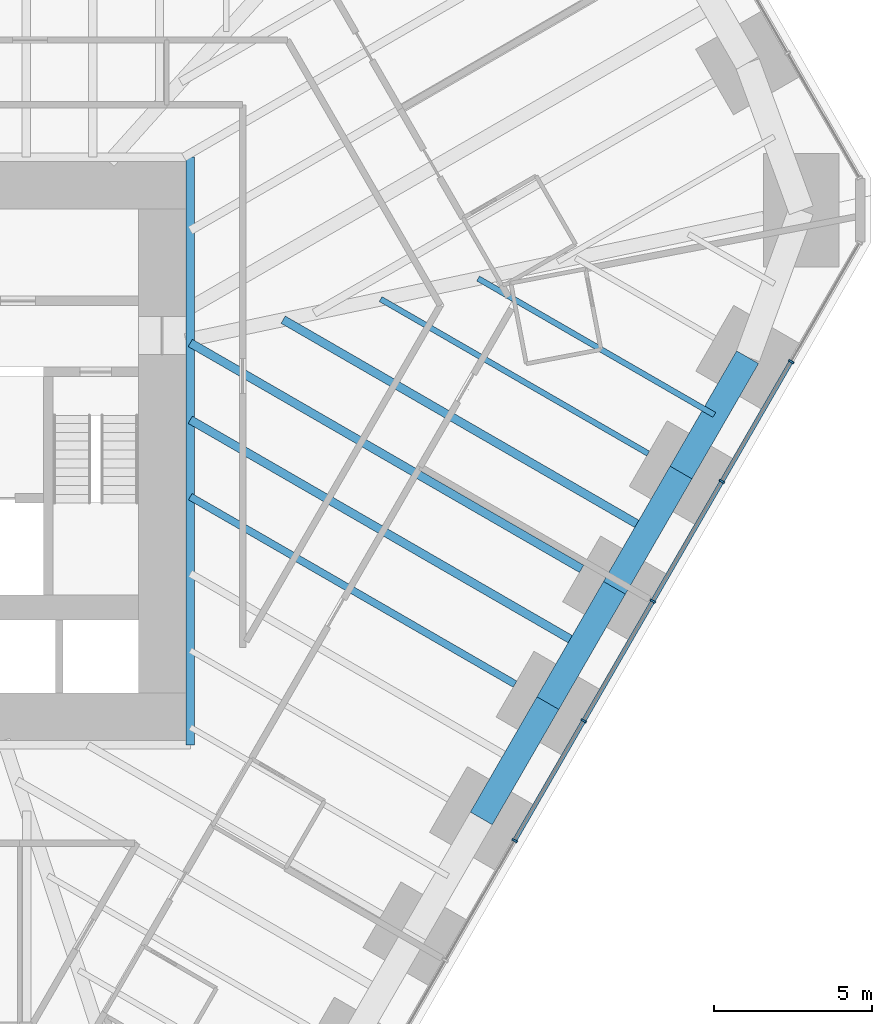
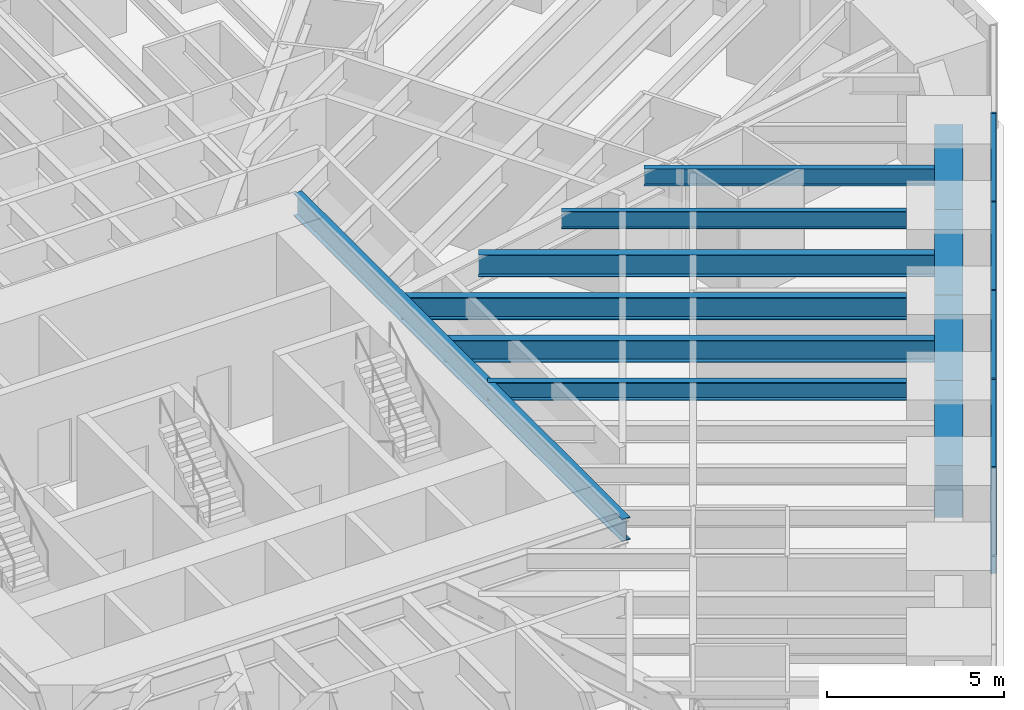
# One storey, part 6 of 17: 11 beams, 9 members, 1 element without a shape of its own.
"""IFC4 building model written with IfcOpenShell, lengths in metres."""

from ifc_helpers import new_model, si_unit, direction, frame, origin, origin_2d, place, context, subcontext, project, spatial, rectangle, i_section, extrude, material, material_profile, profile_set, type_object, element, aggregate, save


model = new_model("IFC4")

# Units and contexts
model_context = context("Model", 3, precision=1e-05, world=origin(), true_north=direction((0.0, 1.0)))
body_context = subcontext(model_context, "Body", "Model", "MODEL_VIEW")
ifc_project = project(units=[si_unit("LENGTHUNIT", "METRE"), si_unit("AREAUNIT", "SQUARE_METRE"), si_unit("VOLUMEUNIT", "CUBIC_METRE"), si_unit("PLANEANGLEUNIT", "RADIAN"), si_unit("MASSUNIT", "GRAM", prefix="KILO")], contexts=[model_context])

# Site, building, storey
site_placement = place(None, origin())
site = spatial("IfcSite", under=ifc_project, at=site_placement, CompositionType="ELEMENT")
building_placement = place(site_placement, origin())
building = spatial("IfcBuilding", under=site, at=building_placement, Name="Sandreach Pilgrim Tower", CompositionType="ELEMENT")
storey_placement = place(building_placement, frame((0.0, 0.0, 49.60009765625)))
storey = spatial("IfcBuildingStorey", under=building, at=storey_placement, Name="L11", CompositionType="ELEMENT", Elevation=49.60009765625)

# Curtain wall, members
ifc_material_1 = material(Name="Aluminium framed curtain wall", Category="aluminium")
curtain_wall_type = type_object("IfcCurtainWallType", Name="Hostel tower curtain wall", PredefinedType="NOTDEFINED", material=ifc_material_1)
curtain_wall_placement = place(storey_placement, origin())
curtain_wall = element("IfcCurtainWall", 1, at=curtain_wall_placement, inside=storey, type_object=curtain_wall_type, Name="CW-1 L11 SE", PredefinedType="NOTDEFINED")
ifc_material_2 = material(Name="Aluminium extrusion", Category="aluminium")
ifc_material_profile_1 = material_profile(ifc_material_2, rectangle(XDim=0.06494140625, YDim=0.179931640625, at=origin_2d()), Name="CW-1M 65X180")
ifc_profile_set_1 = profile_set([ifc_material_profile_1], Name="Aluminium extrusion")
member_type_1 = type_object("IfcMemberType", Name="CW-1 mullion", PredefinedType="MULLION", material=ifc_profile_set_1)
member_1_placement = place(storey_placement, frame((28.390380859375, 1.2763671875, 0.0), z_axis=(0.0, 0.0, 1.0), x_axis=(-0.5, -0.866025403784, 0.0)))
member_1 = element("IfcMember", 2, at=member_1_placement, type_object=member_type_1, Name="CW-1 mullion 2", PredefinedType="MULLION", context=body_context, shape_type="SweptSolid", body=[
    extrude(rectangle(XDim=0.06494140625, YDim=0.179931640625, at=origin_2d()), origin(), (0.0, 0.0, 1.0), 3.639892578125),
])
member_2_placement = place(storey_placement, frame((26.20458984375, -2.509521484375, 0.0), z_axis=(0.0, 0.0, 1.0), x_axis=(-0.5, -0.866025403784, 0.0)))
member_2 = element("IfcMember", 3, at=member_2_placement, type_object=member_type_1, Name="CW-1 mullion 3", PredefinedType="MULLION", context=body_context, shape_type="SweptSolid", body=[
    extrude(rectangle(XDim=0.06494140625, YDim=0.179931640625, at=origin_2d()), origin(), (0.0, 0.0, 1.0), 3.639892578125),
])
member_3_placement = place(storey_placement, frame((24.018798828125, -6.29541015625, 0.0), z_axis=(0.0, 0.0, 1.0), x_axis=(-0.5, -0.866025403784, 0.0)))
member_3 = element("IfcMember", 4, at=member_3_placement, type_object=member_type_1, Name="CW-1 mullion 4", PredefinedType="MULLION", context=body_context, shape_type="SweptSolid", body=[
    extrude(rectangle(XDim=0.06494140625, YDim=0.179931640625, at=origin_2d()), origin(), (0.0, 0.0, 1.0), 3.639892578125),
])
member_4_placement = place(storey_placement, frame((21.8330078125, -10.081298828125, 0.0), z_axis=(0.0, 0.0, 1.0), x_axis=(-0.5, -0.866025403784, 0.0)))
member_4 = element("IfcMember", 5, at=member_4_placement, type_object=member_type_1, Name="CW-1 mullion 5", PredefinedType="MULLION", context=body_context, shape_type="SweptSolid", body=[
    extrude(rectangle(XDim=0.06494140625, YDim=0.179931640625, at=origin_2d()), origin(), (0.0, 0.0, 1.0), 3.639892578125),
])
member_5_placement = place(storey_placement, frame((19.647216796875, -13.8671875, 0.0), z_axis=(0.0, 0.0, 1.0), x_axis=(-0.5, -0.866025403784, 0.0)))
member_5 = element("IfcMember", 6, at=member_5_placement, type_object=member_type_1, Name="CW-1 mullion 6", PredefinedType="MULLION", context=body_context, shape_type="SweptSolid", body=[
    extrude(rectangle(XDim=0.06494140625, YDim=0.179931640625, at=origin_2d()), origin(), (0.0, 0.0, 1.0), 3.639892578125),
])
ifc_material_3 = material(Name="Aluminium extrusion", Category="aluminium")
ifc_material_profile_2 = material_profile(ifc_material_3, rectangle(XDim=0.139892578125, YDim=0.070068359375, at=origin_2d()), Name="CW-1T 140X70")
ifc_profile_set_2 = profile_set([ifc_material_profile_2], Name="Aluminium extrusion")
member_type_2 = type_object("IfcMemberType", Name="CW-1 transom", PredefinedType="USERDEFINED", material=ifc_profile_set_2)
member_6_placement = place(storey_placement, frame((28.374267578125, 1.248046875, 3.60498046875), z_axis=(-0.500016891966, -0.866015650984, 0.0), x_axis=(0.866015650984, -0.500016891966, 0.0)))
member_6 = element("IfcMember", 7, at=member_6_placement, type_object=member_type_2, Name="CW-1 head transom 2", ObjectType="TRANSOM", PredefinedType="USERDEFINED", context=body_context, shape_type="SweptSolid", body=[
    extrude(rectangle(XDim=0.139892578125, YDim=0.070068359375, at=origin_2d()), origin(), (0.0, 0.0, 1.0), 4.306396484375),
])
member_7_placement = place(storey_placement, frame((26.1884765625, -2.537841796875, 3.60498046875), z_axis=(-0.500016891966, -0.866015650984, 0.0), x_axis=(0.866015650984, -0.500016891966, 0.0)))
member_7 = element("IfcMember", 8, at=member_7_placement, type_object=member_type_2, Name="CW-1 head transom 3", ObjectType="TRANSOM", PredefinedType="USERDEFINED", context=body_context, shape_type="SweptSolid", body=[
    extrude(rectangle(XDim=0.139892578125, YDim=0.070068359375, at=origin_2d()), origin(), (0.0, 0.0, 1.0), 4.306396484375),
])
member_8_placement = place(storey_placement, frame((24.002685546875, -6.32373046875, 3.60498046875), z_axis=(-0.500016891966, -0.866015650984, 0.0), x_axis=(0.866015650984, -0.500016891966, 0.0)))
member_8 = element("IfcMember", 9, at=member_8_placement, type_object=member_type_2, Name="CW-1 head transom 4", ObjectType="TRANSOM", PredefinedType="USERDEFINED", context=body_context, shape_type="SweptSolid", body=[
    extrude(rectangle(XDim=0.139892578125, YDim=0.070068359375, at=origin_2d()), origin(), (0.0, 0.0, 1.0), 4.306396484375),
])
member_9_placement = place(storey_placement, frame((21.81689453125, -10.109619140625, 3.60498046875), z_axis=(-0.500016891966, -0.866015650984, 0.0), x_axis=(0.866015650984, -0.500016891966, 0.0)))
member_9 = element("IfcMember", 10, at=member_9_placement, type_object=member_type_2, Name="CW-1 head transom 5", ObjectType="TRANSOM", PredefinedType="USERDEFINED", context=body_context, shape_type="SweptSolid", body=[
    extrude(rectangle(XDim=0.139892578125, YDim=0.070068359375, at=origin_2d()), origin(), (0.0, 0.0, 1.0), 4.306396484375),
])
aggregate(curtain_wall, [member_1, member_2, member_3, member_4, member_5, member_6, member_7, member_8, member_9])

# Beams
ifc_material_4 = material(Name="Steel ASTM A992 Grade 50", Category="steel")
ifc_material_profile_3 = material_profile(ifc_material_4, i_section(OverallWidth=0.2666015625, OverallDepth=0.77978515625, WebThickness=0.0166015625, FlangeThickness=0.030029296875, at=origin_2d()), Name="W30X148")
ifc_profile_set_3 = profile_set([ifc_material_profile_3], Name="Steel ASTM A992 Grade 50")
beam_type_1 = type_object("IfcBeamType", Name="Core edge beam W30X148", PredefinedType="BEAM", material=ifc_profile_set_3)
beam_1_placement = place(storey_placement, frame((9.393310546875, 7.743408203125, 3.25), z_axis=(0.0, -1.0, 0.0), x_axis=(1.0, 0.0, 0.0)))
element("IfcBeam", 11, at=beam_1_placement, inside=storey, type_object=beam_type_1, Name="BM L11 CEE", PredefinedType="BEAM", context=body_context, shape_type="SweptSolid", body=[
    extrude(i_section(OverallWidth=0.2666015625, OverallDepth=0.77978515625, WebThickness=0.0166015625, FlangeThickness=0.030029296875, at=origin_2d()), origin(), (0.0, 0.0, 1.0), 18.586669921875),
])
ifc_material_5 = material(Name="Steel ASTM A992 Grade 50", Category="steel")
ifc_material_profile_4 = material_profile(ifc_material_5, i_section(OverallWidth=0.1787109375, OverallDepth=0.60205078125, WebThickness=0.010986328125, FlangeThickness=0.014892578125, at=origin_2d()), Name="W24X62")
ifc_profile_set_4 = profile_set([ifc_material_profile_4], Name="Steel ASTM A992 Grade 50")
beam_type_2 = type_object("IfcBeamType", Name="Floor beam W24X62", PredefinedType="BEAM", material=ifc_profile_set_4)
beam_2_placement = place(storey_placement, frame((23.8720703125, -1.629638671875, 3.3388671875), z_axis=(-0.866025751498, 0.499999397742, 0.0), x_axis=(-0.499999397742, -0.866025751498, 0.0)))
element("IfcBeam", 12, at=beam_2_placement, inside=storey, type_object=beam_type_2, Name="BM L11 F15", PredefinedType="BEAM", context=body_context, shape_type="SweptSolid", body=[
    extrude(i_section(OverallWidth=0.1787109375, OverallDepth=0.60205078125, WebThickness=0.010986328125, FlangeThickness=0.014892578125, at=origin_2d()), origin(), (0.0, 0.0, 1.0), 9.767578125),
])
beam_3_placement = place(storey_placement, frame((25.9638671875, -0.40673828125, 3.3388671875), z_axis=(-0.866020100198, 0.500009185969, 0.0), x_axis=(-0.500009185969, -0.866020100198, 0.0)))
element("IfcBeam", 13, at=beam_3_placement, inside=storey, type_object=beam_type_2, Name="BM L11 FM14", PredefinedType="BEAM", context=body_context, shape_type="SweptSolid", body=[
    extrude(i_section(OverallWidth=0.1787109375, OverallDepth=0.60205078125, WebThickness=0.010986328125, FlangeThickness=0.014892578125, at=origin_2d()), origin(), (0.0, 0.0, 1.0), 8.623291015625),
])
ifc_material_6 = material(Name="Steel ASTM A992 Grade 50", Category="steel")
ifc_material_profile_5 = material_profile(ifc_material_6, i_section(OverallWidth=0.23046875, OverallDepth=0.6171875, WebThickness=0.01318359375, FlangeThickness=0.022216796875, at=origin_2d()), Name="W24X94")
ifc_profile_set_5 = profile_set([ifc_material_profile_5], Name="Steel ASTM A992 Grade 50")
beam_type_3 = type_object("IfcBeamType", Name="Floor beam W24X94", PredefinedType="BEAM", material=ifc_profile_set_5)
beam_4_placement = place(storey_placement, frame((19.662353515625, -8.92138671875, 3.331298828125), z_axis=(-0.866029924088, 0.499992170523, 0.0), x_axis=(-0.499992170523, -0.866029924088, 0.0)))
element("IfcBeam", 14, at=beam_4_placement, inside=storey, type_object=beam_type_3, Name="BM L11 F17", PredefinedType="BEAM", context=body_context, shape_type="SweptSolid", body=[
    extrude(i_section(OverallWidth=0.23046875, OverallDepth=0.6171875, WebThickness=0.01318359375, FlangeThickness=0.022216796875, at=origin_2d()), origin(), (0.0, 0.0, 1.0), 11.857666015625),
])
ifc_material_7 = material(Name="Steel ASTM A992 Grade 50", Category="steel")
ifc_material_profile_6 = material_profile(ifc_material_7, i_section(OverallWidth=0.2666015625, OverallDepth=0.761962890625, WebThickness=0.014404296875, FlangeThickness=0.021484375, at=origin_2d()), Name="W30X116")
ifc_profile_set_6 = profile_set([ifc_material_profile_6], Name="Steel ASTM A992 Grade 50")
beam_type_4 = type_object("IfcBeamType", Name="Floor beam W30X116", PredefinedType="BEAM", material=ifc_profile_set_6)
beam_5_placement = place(storey_placement, frame((21.76708984375, -5.275390625, 3.2587890625), z_axis=(-0.866024247282, 0.500002003116, 0.0), x_axis=(-0.500002003116, -0.866024247282, 0.0)))
element("IfcBeam", 15, at=beam_5_placement, inside=storey, type_object=beam_type_4, Name="BM L11 F16", PredefinedType="BEAM", context=body_context, shape_type="SweptSolid", body=[
    extrude(i_section(OverallWidth=0.2666015625, OverallDepth=0.761962890625, WebThickness=0.014404296875, FlangeThickness=0.021484375, at=origin_2d()), origin(), (0.0, 0.0, 1.0), 14.2880859375),
])
beam_6_placement = place(storey_placement, frame((23.85888671875, -4.052490234375, 3.2587890625), z_axis=(-0.866029213426, 0.499993401449, 0.0), x_axis=(-0.499993401449, -0.866029213426, 0.0)))
element("IfcBeam", 16, at=beam_6_placement, inside=storey, type_object=beam_type_4, Name="BM L11 FM15", PredefinedType="BEAM", context=body_context, shape_type="SweptSolid", body=[
    extrude(i_section(OverallWidth=0.2666015625, OverallDepth=0.761962890625, WebThickness=0.014404296875, FlangeThickness=0.021484375, at=origin_2d()), origin(), (0.0, 0.0, 1.0), 13.311767578125),
])
beam_7_placement = place(storey_placement, frame((21.75390625, -7.698486328125, 3.2587890625), z_axis=(-0.866022935671, 0.500004274874, 0.0), x_axis=(-0.500004274874, -0.866022935671, 0.0)))
element("IfcBeam", 17, at=beam_7_placement, inside=storey, type_object=beam_type_4, Name="BM L11 FM16", PredefinedType="BEAM", context=body_context, shape_type="SweptSolid", body=[
    extrude(i_section(OverallWidth=0.2666015625, OverallDepth=0.761962890625, WebThickness=0.014404296875, FlangeThickness=0.021484375, at=origin_2d()), origin(), (0.0, 0.0, 1.0), 14.27294921875),
])
ifc_material_8 = material(Name="Concrete 10000 psi", Category="concrete")
ifc_material_profile_7 = material_profile(ifc_material_8, rectangle(XDim=0.800048828125, YDim=1.800048828125, at=origin_2d()), Name="RC800X1800")
ifc_profile_set_7 = profile_set([ifc_material_profile_7], Name="Concrete 10000 psi")
beam_type_5 = type_object("IfcBeamType", Name="Spandrel beam RC800X1800", PredefinedType="SPANDREL", material=ifc_profile_set_7)
beam_8_placement = place(storey_placement, frame((27.016357421875, 1.416259765625, 2.739990234375), z_axis=(-0.499993523031, -0.866029143232, 0.0), x_axis=(0.866029143232, -0.499993523031, 0.0)))
element("IfcBeam", 18, at=beam_8_placement, inside=storey, type_object=beam_type_5, Name="BM L11 SP14", PredefinedType="SPANDREL", context=body_context, shape_type="SweptSolid", body=[
    extrude(rectangle(XDim=0.800048828125, YDim=1.800048828125, at=origin_2d()), origin(), (0.0, 0.0, 1.0), 4.2099609375),
])
beam_9_placement = place(storey_placement, frame((24.911376953125, -2.229736328125, 2.739990234375), z_axis=(-0.50001863446, -0.866014644907, 0.0), x_axis=(0.866014644907, -0.50001863446, 0.0)))
element("IfcBeam", 19, at=beam_9_placement, inside=storey, type_object=beam_type_5, Name="BM L11 SP15", PredefinedType="SPANDREL", context=body_context, shape_type="SweptSolid", body=[
    extrude(rectangle(XDim=0.800048828125, YDim=1.800048828125, at=origin_2d()), origin(), (0.0, 0.0, 1.0), 4.209716796875),
])
beam_10_placement = place(storey_placement, frame((22.806396484375, -5.87548828125, 2.739990234375), z_axis=(-0.499993523031, -0.866029143232, 0.0), x_axis=(0.866029143232, -0.499993523031, 0.0)))
element("IfcBeam", 20, at=beam_10_placement, inside=storey, type_object=beam_type_5, Name="BM L11 SP16", PredefinedType="SPANDREL", context=body_context, shape_type="SweptSolid", body=[
    extrude(rectangle(XDim=0.800048828125, YDim=1.800048828125, at=origin_2d()), origin(), (0.0, 0.0, 1.0), 4.2099609375),
])
beam_11_placement = place(storey_placement, frame((20.701416015625, -9.521484375, 2.739990234375), z_axis=(-0.50001863446, -0.866014644907, 0.0), x_axis=(0.866014644907, -0.50001863446, 0.0)))
element("IfcBeam", 21, at=beam_11_placement, inside=storey, type_object=beam_type_5, Name="BM L11 SP17", PredefinedType="SPANDREL", context=body_context, shape_type="SweptSolid", body=[
    extrude(rectangle(XDim=0.800048828125, YDim=1.800048828125, at=origin_2d()), origin(), (0.0, 0.0, 1.0), 4.209716796875),
])

save(model, "model.ifc")
